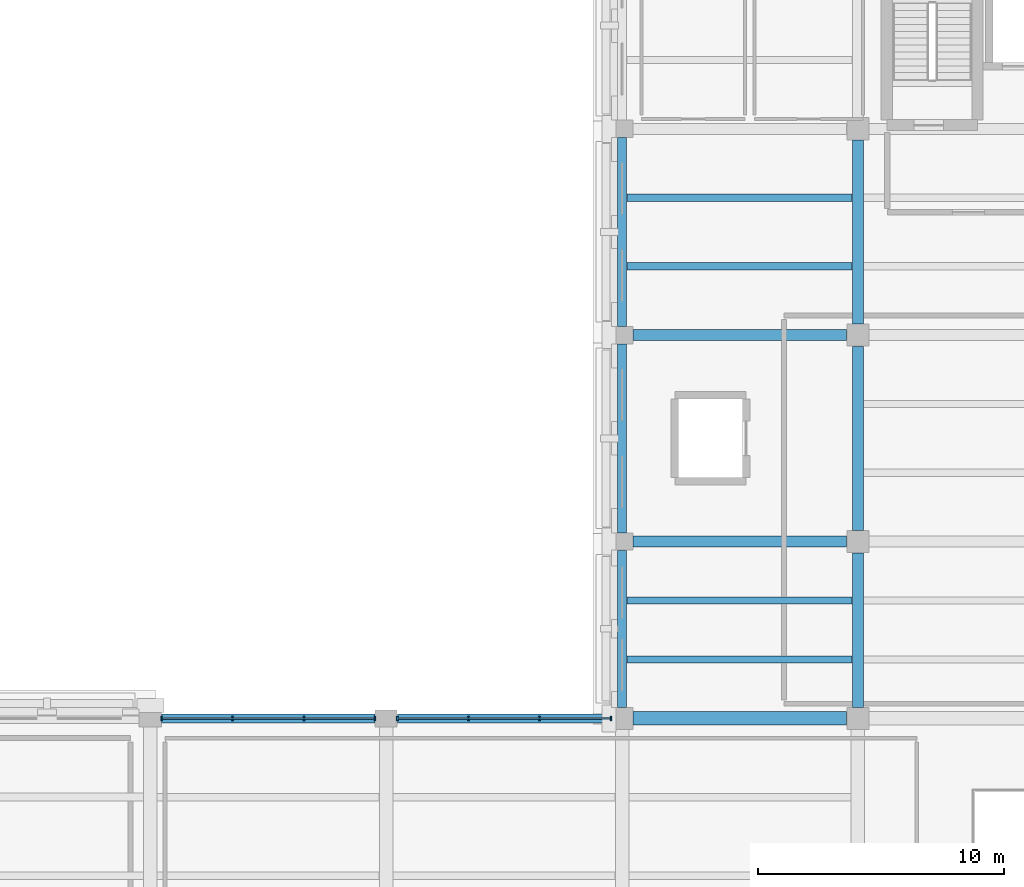
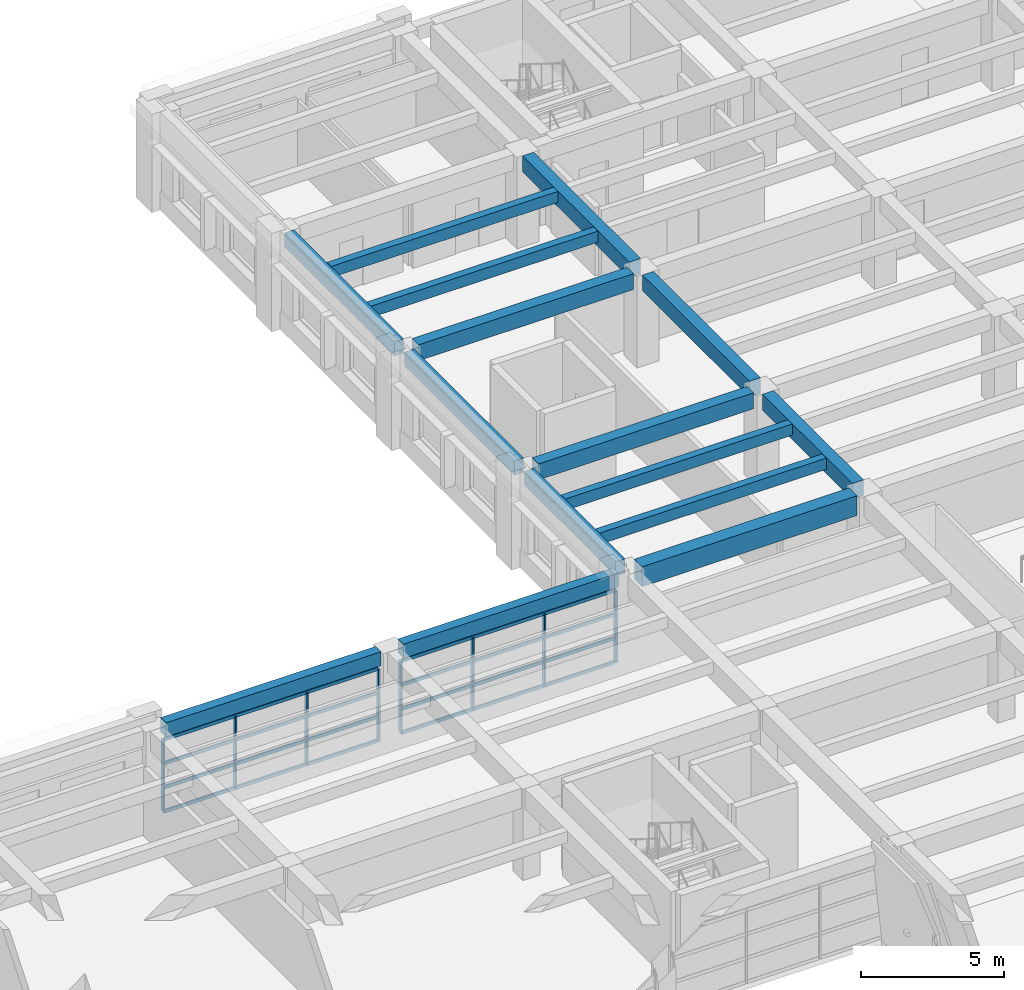
# One storey, part 21 of 62: 16 members, 15 beams, 2 elements without a shape of their own.
"""IFC4 building model written with IfcOpenShell, lengths in metres."""

from ifc_helpers import new_model, si_unit, direction, frame, origin, origin_2d, place, context, subcontext, project, spatial, rectangle, extrude, material, layer, layer_set, material_profile, profile_set, type_object, element, aggregate, save


model = new_model("IFC4")

# Units and contexts
model_context = context("Model", 3, precision=1e-05, world=origin(), true_north=direction((0.0, 1.0)))
body_context = subcontext(model_context, "Body", "Model", "MODEL_VIEW")
ifc_project = project(units=[si_unit("LENGTHUNIT", "METRE"), si_unit("AREAUNIT", "SQUARE_METRE"), si_unit("VOLUMEUNIT", "CUBIC_METRE"), si_unit("PLANEANGLEUNIT", "RADIAN"), si_unit("MASSUNIT", "GRAM", prefix="KILO")], contexts=[model_context])

# Site, building, storey
site_placement = place(None, origin())
site = spatial("IfcSite", under=ifc_project, at=site_placement, CompositionType="ELEMENT")
building_placement = place(site_placement, origin())
building = spatial("IfcBuilding", under=site, at=building_placement, Name="Bempovik Park Faculty of Sciences", CompositionType="ELEMENT")
storey_placement = place(building_placement, frame((0.0, 0.0, 9.89990234375)))
storey = spatial("IfcBuildingStorey", under=building, at=storey_placement, Name="L02", CompositionType="ELEMENT", Elevation=9.89990234375)

# Beams
ifc_material_1 = material(Name="Concrete C35/45", Category="concrete")
ifc_material_profile_1 = material_profile(ifc_material_1, rectangle(XDim=0.3798828125, YDim=0.60009765625, at=origin_2d()), Name="RC 380x600")
ifc_profile_set_1 = profile_set([ifc_material_profile_1], Name="Concrete C35/45")
beam_type_1 = type_object("IfcBeamType", Name="B-032 RC 380x600", PredefinedType="SPANDREL", material=ifc_profile_set_1)
for number, where, z_axis, x_axis, name in (
    (1, (41.256103515625, 87.0, 3.60009765625), (1.0, 0.0, 0.0), (0.0, 1.0, 0.0), "L02 Beam X (40.8-50.4, y=87.0)"),
    (2, (50.85595703125, 87.0, 3.60009765625), (1.0, 0.0, 0.0), (0.0, 1.0, 0.0), "L02 Beam X (50.4-60.0, y=87.0)"),
):
    element("IfcBeam", number, at=place(storey_placement, frame(where, z_axis=z_axis, x_axis=x_axis)), inside=storey, type_object=beam_type_1, Name=name, PredefinedType="SPANDREL", context=body_context, shape_type="SweptSolid", body=[
        extrude(rectangle(XDim=0.3798828125, YDim=0.60009765625, at=origin_2d()), origin(), (0.0, 0.0, 1.0), 8.68798828125),
    ])
beam_1_placement = place(storey_placement, frame((60.0, 87.4560546875, 3.60009765625), z_axis=(0.0, 1.0, 0.0), x_axis=(-1.0, 0.0, 0.0)))
element("IfcBeam", 3, at=beam_1_placement, inside=storey, type_object=beam_type_1, Name="L02 Beam Y (x=60.0, 87.0-94.2)", PredefinedType="SPANDREL", context=body_context, shape_type="SweptSolid", body=[
    extrude(rectangle(XDim=0.3798828125, YDim=0.60009765625, at=origin_2d()), origin(), (0.0, 0.0, 1.0), 6.387939453125),
])
for number, where, z_axis, x_axis, name in (
    (4, (60.0, 94.555908203125, 3.60009765625), (0.0, 1.0, 0.0), (-1.0, 0.0, 0.0), "L02 Beam Y (x=60.0, 94.2-102.6)"),
    (5, (60.0, 102.9560546875, 3.60009765625), (0.0, 1.0, 0.0), (-1.0, 0.0, 0.0), "L02 Beam Y (x=60.0, 102.6-111.0)"),
):
    element("IfcBeam", number, at=place(storey_placement, frame(where, z_axis=z_axis, x_axis=x_axis)), inside=storey, type_object=beam_type_1, Name=name, PredefinedType="SPANDREL", context=body_context, shape_type="SweptSolid", body=[
        extrude(rectangle(XDim=0.3798828125, YDim=0.60009765625, at=origin_2d()), origin(), (0.0, 0.0, 1.0), 7.68798828125),
    ])
ifc_material_profile_2 = material_profile(ifc_material_1, rectangle(XDim=0.300048828125, YDim=0.47998046875, at=origin_2d()), Name="RC 300x480")
ifc_profile_set_2 = profile_set([ifc_material_profile_2], Name="Concrete C35/45")
beam_type_2 = type_object("IfcBeamType", Name="B-039 RC 300x480", PredefinedType="JOIST", material=ifc_profile_set_2)
for number, where, z_axis, x_axis, name in (
    (6, (60.196044921875, 89.39990234375, 3.66015625), (1.0, 0.0, 0.0), (0.0, 1.0, 0.0), "L02 Secondary Joist (60.0-69.6, y=89.40)"),
    (7, (60.196044921875, 91.800048828125, 3.66015625), (1.0, 0.0, 0.0), (0.0, 1.0, 0.0), "L02 Secondary Joist (60.0-69.6, y=91.80)"),
    (8, (60.196044921875, 105.39990234375, 3.66015625), (1.0, 0.0, 0.0), (0.0, 1.0, 0.0), "L02 Secondary Joist (60.0-69.6, y=105.40)"),
    (9, (60.196044921875, 108.199951171875, 3.66015625), (1.0, 0.0, 0.0), (0.0, 1.0, 0.0), "L02 Secondary Joist (60.0-69.6, y=108.20)"),
):
    element("IfcBeam", number, at=place(storey_placement, frame(where, z_axis=z_axis, x_axis=x_axis)), inside=storey, type_object=beam_type_2, Name=name, PredefinedType="JOIST", context=body_context, shape_type="SweptSolid", body=[
        extrude(rectangle(XDim=0.300048828125, YDim=0.47998046875, at=origin_2d()), origin(), (0.0, 0.0, 1.0), 9.1728515625),
    ])
ifc_material_2 = material(Name="Concrete C40/50", Category="concrete")
ifc_material_profile_3 = material_profile(ifc_material_2, rectangle(XDim=0.550048828125, YDim=0.85009765625, at=origin_2d()), Name="RC 550x850")
ifc_profile_set_3 = profile_set([ifc_material_profile_3], Name="Concrete C40/50")
beam_type_3 = type_object("IfcBeamType", Name="B-080 RC 550x850", PredefinedType="BEAM", material=ifc_profile_set_3)
beam_2_placement = place(storey_placement, frame((60.4560546875, 87.0, 3.47509765625), z_axis=(1.0, 0.0, 0.0), x_axis=(0.0, 1.0, 0.0)))
element("IfcBeam", 10, at=beam_2_placement, inside=storey, type_object=beam_type_3, Name="L02 Beam X (60.0-69.6, y=87.0)", PredefinedType="BEAM", context=body_context, shape_type="SweptSolid", body=[
    extrude(rectangle(XDim=0.550048828125, YDim=0.85009765625, at=origin_2d()), origin(), (0.0, 0.0, 1.0), 8.68798828125),
])
ifc_material_profile_4 = material_profile(ifc_material_1, rectangle(XDim=0.449951171875, YDim=0.679931640625, at=origin_2d()), Name="RC 450x680")
ifc_profile_set_4 = profile_set([ifc_material_profile_4], Name="Concrete C35/45")
beam_type_4 = type_object("IfcBeamType", Name="B-113 RC 450x680", PredefinedType="BEAM", material=ifc_profile_set_4)
for number, where, z_axis, x_axis, name in (
    (11, (60.4560546875, 94.199951171875, 3.56005859375), (1.0, 0.0, 0.0), (0.0, 1.0, 0.0), "L02 Beam X (60.0-69.6, y=94.2)"),
    (12, (60.4560546875, 102.60009765625, 3.56005859375), (1.0, 0.0, 0.0), (0.0, 1.0, 0.0), "L02 Beam X (60.0-69.6, y=102.6)"),
):
    element("IfcBeam", number, at=place(storey_placement, frame(where, z_axis=z_axis, x_axis=x_axis)), inside=storey, type_object=beam_type_4, Name=name, PredefinedType="BEAM", context=body_context, shape_type="SweptSolid", body=[
        extrude(rectangle(XDim=0.449951171875, YDim=0.679931640625, at=origin_2d()), origin(), (0.0, 0.0, 1.0), 8.68798828125),
    ])
beam_3_placement = place(storey_placement, frame((69.60009765625, 87.4560546875, 3.56005859375), z_axis=(0.0, 1.0, 0.0), x_axis=(-1.0, 0.0, 0.0)))
element("IfcBeam", 13, at=beam_3_placement, inside=storey, type_object=beam_type_4, Name="L02 Beam Y (x=69.6, 87.0-94.2)", PredefinedType="BEAM", context=body_context, shape_type="SweptSolid", body=[
    extrude(rectangle(XDim=0.449951171875, YDim=0.679931640625, at=origin_2d()), origin(), (0.0, 0.0, 1.0), 6.287841796875),
])
for number, where, z_axis, x_axis, name in (
    (14, (69.60009765625, 94.656005859375, 3.56005859375), (0.0, 1.0, 0.0), (-1.0, 0.0, 0.0), "L02 Beam Y (x=69.6, 94.2-102.6)"),
    (15, (69.60009765625, 103.055908203125, 3.56005859375), (0.0, 1.0, 0.0), (-1.0, 0.0, 0.0), "L02 Beam Y (x=69.6, 102.6-111.0)"),
):
    element("IfcBeam", number, at=place(storey_placement, frame(where, z_axis=z_axis, x_axis=x_axis)), inside=storey, type_object=beam_type_4, Name=name, PredefinedType="BEAM", context=body_context, shape_type="SweptSolid", body=[
        extrude(rectangle(XDim=0.449951171875, YDim=0.679931640625, at=origin_2d()), origin(), (0.0, 0.0, 1.0), 7.488037109375),
    ])

# Curtain wall, members
ifc_material_3 = material(Name="Tempered laminated low-E glass", Category="glass")
ifc_layer = layer(ifc_material_3, 0.159912109375)
ifc_layer_set = layer_set([ifc_layer], Name="Tempered laminated low-E glass")
curtain_wall_type = type_object("IfcCurtainWallType", Name="CW-41 Curtain 6600x3800", PredefinedType="USERDEFINED", material=ifc_layer_set)
curtain_wall_1_placement = place(storey_placement, origin())
curtain_wall_1 = element("IfcCurtainWall", 16, at=curtain_wall_1_placement, inside=storey, type_object=curtain_wall_type, Name="L02 Unitised Curtain Wall (87.0,40.8)", ObjectType="UNITISED CURTAIN WALL", PredefinedType="USERDEFINED")
ifc_material_4 = material(Name="Anodised architectural bronze", Category="aluminium")
ifc_material_profile_5 = material_profile(ifc_material_4, rectangle(XDim=0.06494140625, YDim=0.169921875, at=origin_2d()), Name="ALU-M 65x170")
ifc_profile_set_5 = profile_set([ifc_material_profile_5], Name="Anodised architectural bronze")
member_type_1 = type_object("IfcMemberType", Name="ML-15 ALU-M 65x170", PredefinedType="MULLION", material=ifc_profile_set_5)
member_1_placement = place(storey_placement, frame((41.251953125, 87.0, 0.0), z_axis=(0.0, 0.0, 1.0), x_axis=(1.0, 0.0, 0.0)))
member_1 = element("IfcMember", 17, at=member_1_placement, type_object=member_type_1, Name="CW-BAY-L02-870-408 Mullion 0", PredefinedType="MULLION", context=body_context, shape_type="SweptSolid", body=[
    extrude(rectangle(XDim=0.06494140625, YDim=0.169921875, at=origin_2d()), origin(), (0.0, 0.0, 1.0), 3.080078125),
])
member_2_placement = place(storey_placement, frame((44.150634765625, 87.0, 0.0), z_axis=(0.0, 0.0, 1.0), x_axis=(1.0, 0.0, 0.0)))
member_2 = element("IfcMember", 18, at=member_2_placement, type_object=member_type_1, Name="CW-BAY-L02-870-408 Mullion 1", PredefinedType="MULLION", context=body_context, shape_type="SweptSolid", body=[
    extrude(rectangle(XDim=0.06494140625, YDim=0.169921875, at=origin_2d()), origin(), (0.0, 0.0, 1.0), 3.080078125),
])
member_3_placement = place(storey_placement, frame((47.04931640625, 87.0, 0.0), z_axis=(0.0, 0.0, 1.0), x_axis=(1.0, 0.0, 0.0)))
member_3 = element("IfcMember", 19, at=member_3_placement, type_object=member_type_1, Name="CW-BAY-L02-870-408 Mullion 2", PredefinedType="MULLION", context=body_context, shape_type="SweptSolid", body=[
    extrude(rectangle(XDim=0.06494140625, YDim=0.169921875, at=origin_2d()), origin(), (0.0, 0.0, 1.0), 3.080078125),
])
member_4_placement = place(storey_placement, frame((49.947998046875, 87.0, 0.0), z_axis=(0.0, 0.0, 1.0), x_axis=(1.0, 0.0, 0.0)))
member_4 = element("IfcMember", 20, at=member_4_placement, type_object=member_type_1, Name="CW-BAY-L02-870-408 Mullion 3", PredefinedType="MULLION", context=body_context, shape_type="SweptSolid", body=[
    extrude(rectangle(XDim=0.06494140625, YDim=0.169921875, at=origin_2d()), origin(), (0.0, 0.0, 1.0), 3.080078125),
])

curtain_wall_2_placement = place(storey_placement, origin())
curtain_wall_2 = element("IfcCurtainWall", 21, at=curtain_wall_2_placement, inside=storey, type_object=curtain_wall_type, Name="L02 Unitised Curtain Wall (87.0,50.4)", ObjectType="UNITISED CURTAIN WALL", PredefinedType="USERDEFINED")
member_5_placement = place(storey_placement, frame((50.85205078125, 87.0, 0.0), z_axis=(0.0, 0.0, 1.0), x_axis=(1.0, 0.0, 0.0)))
member_5 = element("IfcMember", 22, at=member_5_placement, type_object=member_type_1, Name="CW-BAY-L02-870-504 Mullion 0", PredefinedType="MULLION", context=body_context, shape_type="SweptSolid", body=[
    extrude(rectangle(XDim=0.06494140625, YDim=0.169921875, at=origin_2d()), origin(), (0.0, 0.0, 1.0), 3.080078125),
])
member_6_placement = place(storey_placement, frame((53.750732421875, 87.0, 0.0), z_axis=(0.0, 0.0, 1.0), x_axis=(1.0, 0.0, 0.0)))
member_6 = element("IfcMember", 23, at=member_6_placement, type_object=member_type_1, Name="CW-BAY-L02-870-504 Mullion 1", PredefinedType="MULLION", context=body_context, shape_type="SweptSolid", body=[
    extrude(rectangle(XDim=0.06494140625, YDim=0.169921875, at=origin_2d()), origin(), (0.0, 0.0, 1.0), 3.080078125),
])
member_7_placement = place(storey_placement, frame((56.6494140625, 87.0, 0.0), z_axis=(0.0, 0.0, 1.0), x_axis=(1.0, 0.0, 0.0)))
member_7 = element("IfcMember", 24, at=member_7_placement, type_object=member_type_1, Name="CW-BAY-L02-870-504 Mullion 2", PredefinedType="MULLION", context=body_context, shape_type="SweptSolid", body=[
    extrude(rectangle(XDim=0.06494140625, YDim=0.169921875, at=origin_2d()), origin(), (0.0, 0.0, 1.0), 3.080078125),
])
member_8_placement = place(storey_placement, frame((59.548095703125, 87.0, 0.0), z_axis=(0.0, 0.0, 1.0), x_axis=(1.0, 0.0, 0.0)))
member_8 = element("IfcMember", 25, at=member_8_placement, type_object=member_type_1, Name="CW-BAY-L02-870-504 Mullion 3", PredefinedType="MULLION", context=body_context, shape_type="SweptSolid", body=[
    extrude(rectangle(XDim=0.06494140625, YDim=0.169921875, at=origin_2d()), origin(), (0.0, 0.0, 1.0), 3.080078125),
])

# Member
ifc_material_profile_6 = material_profile(ifc_material_4, rectangle(XDim=0.06494140625, YDim=0.139892578125, at=origin_2d()), Name="ALU-T 65x140")
ifc_profile_set_6 = profile_set([ifc_material_profile_6], Name="Anodised architectural bronze")
member_type_2 = type_object("IfcMemberType", Name="TR-17 ALU-T 65x140", PredefinedType="USERDEFINED", material=ifc_profile_set_6)
member_9_placement = place(storey_placement, frame((41.2919921875, 87.0, 0.0), z_axis=(1.0, 0.0, 0.0), x_axis=(0.0, 1.0, 0.0)))
member_9 = element("IfcMember", 26, at=member_9_placement, type_object=member_type_2, Name="CW-BAY-L02-870-408 Transom 0", ObjectType="TRANSOM", PredefinedType="USERDEFINED", context=body_context, shape_type="SweptSolid", body=[
    extrude(rectangle(XDim=0.06494140625, YDim=0.139892578125, at=origin_2d()), origin(), (0.0, 0.0, 1.0), 8.615966796875),
])

member_10_placement = place(storey_placement, frame((41.2919921875, 87.0, 1.02685546875), z_axis=(1.0, 0.0, 0.0), x_axis=(0.0, 1.0, 0.0)))
member_10 = element("IfcMember", 27, at=member_10_placement, type_object=member_type_2, Name="CW-BAY-L02-870-408 Transom 1", ObjectType="TRANSOM", PredefinedType="USERDEFINED", context=body_context, shape_type="SweptSolid", body=[
    extrude(rectangle(XDim=0.06494140625, YDim=0.139892578125, at=origin_2d()), origin(), (0.0, 0.0, 1.0), 8.615966796875),
])

member_11_placement = place(storey_placement, frame((41.2919921875, 87.0, 2.053466796875), z_axis=(1.0, 0.0, 0.0), x_axis=(0.0, 1.0, 0.0)))
member_11 = element("IfcMember", 28, at=member_11_placement, type_object=member_type_2, Name="CW-BAY-L02-870-408 Transom 2", ObjectType="TRANSOM", PredefinedType="USERDEFINED", context=body_context, shape_type="SweptSolid", body=[
    extrude(rectangle(XDim=0.06494140625, YDim=0.139892578125, at=origin_2d()), origin(), (0.0, 0.0, 1.0), 8.615966796875),
])

member_12_placement = place(storey_placement, frame((41.2919921875, 87.0, 3.080078125), z_axis=(1.0, 0.0, 0.0), x_axis=(0.0, 1.0, 0.0)))
member_12 = element("IfcMember", 29, at=member_12_placement, type_object=member_type_2, Name="CW-BAY-L02-870-408 Transom 3", ObjectType="TRANSOM", PredefinedType="USERDEFINED", context=body_context, shape_type="SweptSolid", body=[
    extrude(rectangle(XDim=0.06494140625, YDim=0.139892578125, at=origin_2d()), origin(), (0.0, 0.0, 1.0), 8.615966796875),
])

aggregate(curtain_wall_1, [member_1, member_2, member_3, member_4, member_9, member_10, member_11, member_12])

member_13_placement = place(storey_placement, frame((50.89208984375, 87.0, 0.0), z_axis=(1.0, 0.0, 0.0), x_axis=(0.0, 1.0, 0.0)))
member_13 = element("IfcMember", 30, at=member_13_placement, type_object=member_type_2, Name="CW-BAY-L02-870-504 Transom 0", ObjectType="TRANSOM", PredefinedType="USERDEFINED", context=body_context, shape_type="SweptSolid", body=[
    extrude(rectangle(XDim=0.06494140625, YDim=0.139892578125, at=origin_2d()), origin(), (0.0, 0.0, 1.0), 8.615966796875),
])

member_14_placement = place(storey_placement, frame((50.89208984375, 87.0, 1.02685546875), z_axis=(1.0, 0.0, 0.0), x_axis=(0.0, 1.0, 0.0)))
member_14 = element("IfcMember", 31, at=member_14_placement, type_object=member_type_2, Name="CW-BAY-L02-870-504 Transom 1", ObjectType="TRANSOM", PredefinedType="USERDEFINED", context=body_context, shape_type="SweptSolid", body=[
    extrude(rectangle(XDim=0.06494140625, YDim=0.139892578125, at=origin_2d()), origin(), (0.0, 0.0, 1.0), 8.615966796875),
])

member_15_placement = place(storey_placement, frame((50.89208984375, 87.0, 2.053466796875), z_axis=(1.0, 0.0, 0.0), x_axis=(0.0, 1.0, 0.0)))
member_15 = element("IfcMember", 32, at=member_15_placement, type_object=member_type_2, Name="CW-BAY-L02-870-504 Transom 2", ObjectType="TRANSOM", PredefinedType="USERDEFINED", context=body_context, shape_type="SweptSolid", body=[
    extrude(rectangle(XDim=0.06494140625, YDim=0.139892578125, at=origin_2d()), origin(), (0.0, 0.0, 1.0), 8.615966796875),
])

member_16_placement = place(storey_placement, frame((50.89208984375, 87.0, 3.080078125), z_axis=(1.0, 0.0, 0.0), x_axis=(0.0, 1.0, 0.0)))
member_16 = element("IfcMember", 33, at=member_16_placement, type_object=member_type_2, Name="CW-BAY-L02-870-504 Transom 3", ObjectType="TRANSOM", PredefinedType="USERDEFINED", context=body_context, shape_type="SweptSolid", body=[
    extrude(rectangle(XDim=0.06494140625, YDim=0.139892578125, at=origin_2d()), origin(), (0.0, 0.0, 1.0), 8.615966796875),
])

aggregate(curtain_wall_2, [member_5, member_6, member_7, member_8, member_13, member_14, member_15, member_16])

save(model, "model.ifc")
